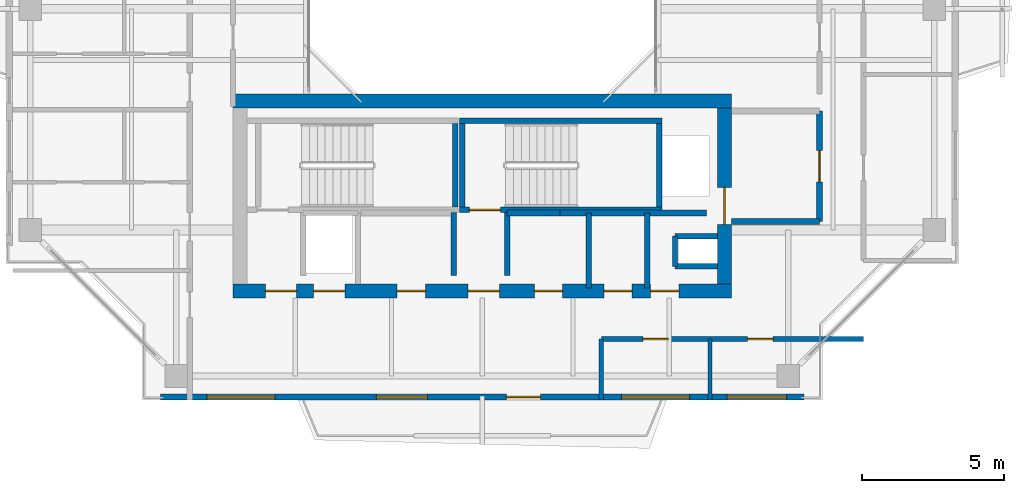
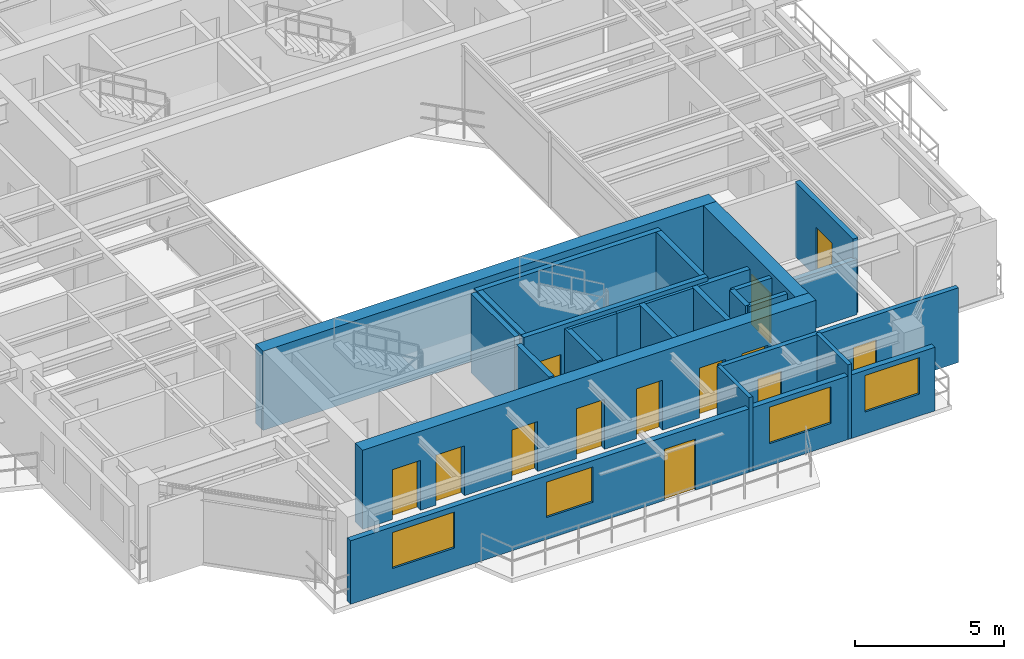
# One storey, part 10 of 16: 23 walls, 13 doors, 4 windows, 17 openings.
"""IFC4 building model written with IfcOpenShell, lengths in metres."""

from ifc_helpers import new_model, si_unit, direction, frame, frame_2d, origin, place, context, subcontext, project, spatial, rectangle, extrude, source, transform, mapped, material, layer, layer_set, type_object, element, fill, save


model = new_model("IFC4")

# Units and contexts
model_context = context("Model", 3, precision=1e-05, world=origin(), true_north=direction((0.0, 1.0)))
body_context = subcontext(model_context, "Body", "Model", "MODEL_VIEW")
ifc_project = project(units=[si_unit("LENGTHUNIT", "METRE"), si_unit("AREAUNIT", "SQUARE_METRE"), si_unit("VOLUMEUNIT", "CUBIC_METRE"), si_unit("PLANEANGLEUNIT", "RADIAN"), si_unit("MASSUNIT", "GRAM", prefix="KILO"), si_unit("THERMODYNAMICTEMPERATUREUNIT", "KELVIN"), si_unit("POWERUNIT", "WATT")], contexts=[model_context])

# Site, building, storey
site_placement = place(None, origin())
site = spatial("IfcSite", under=ifc_project, at=site_placement, CompositionType="ELEMENT")
building_placement = place(site_placement, origin())
building = spatial("IfcBuilding", under=site, at=building_placement, Name="Qiaomeng Ring Towers", CompositionType="ELEMENT")
storey_placement = place(building_placement, frame((0.0, 0.0, 210.0)))
storey = spatial("IfcBuildingStorey", under=building, at=storey_placement, Name="L61", CompositionType="ELEMENT", Elevation=210.0)

# Wall, openings, windows, door
ifc_material_1 = material(Name="Precast concrete C40", Category="concrete")
ifc_layer_1 = layer(ifc_material_1, 0.219970703125, Name="Precast concrete C40")
ifc_layer_set_1 = layer_set([ifc_layer_1], Name="Precast concrete C40")
wall_type_1 = type_object("IfcWallType", Name="ARC-WL-EW2", PredefinedType="STANDARD", material=ifc_layer_set_1)
wall_1_placement = place(storey_placement, frame((7.64990234375, 6.31005859375, 0.0), z_axis=(0.0, 0.0, 1.0), x_axis=(1.0, 0.0, 0.0)))
wall_1 = element("IfcWall", 1, at=wall_1_placement, inside=storey, type_object=wall_type_1, Name="L61 Tower 1 S Exterior Wall", PredefinedType="STANDARD", context=body_context, shape_type="SweptSolid", body=[
    extrude(rectangle(XDim=22.7001953125, YDim=0.219970703125, at=frame_2d((11.35009765625, 0.0))), origin(), (0.0, 0.0, 1.0), 2.610107421875),
])
opening_1_placement = place(wall_1_placement, frame((12.199951171875, 0.0, 0.0)))
opening_1 = element("IfcOpeningElement", 2, at=opening_1_placement, cuts=wall_1, Name="Opening BD1", PredefinedType="OPENING", context=body_context, shape_type="SweptSolid", body=[
    extrude(rectangle(XDim=1.199951171875, YDim=2.10009765625, at=frame_2d((0.60009765625, 1.050048828125))), frame((0.0, 0.119873046875, 0.0), z_axis=(0.0, -1.0, 0.0), x_axis=(1.0, 0.0, 0.0)), (0.0, 0.0, 1.0), 0.239990234375),
])
opening_2_placement = place(wall_1_placement, frame((1.636962890625, 0.0, 0.89990234375)))
opening_2 = element("IfcOpeningElement", 3, at=opening_2_placement, cuts=wall_1, Name="Opening WN6", PredefinedType="OPENING", context=body_context, shape_type="SweptSolid", body=[
    extrude(rectangle(XDim=2.39990234375, YDim=1.47998046875, at=frame_2d((1.199951171875, 0.739990234375))), frame((0.0, 0.119873046875, 0.0), z_axis=(0.0, -1.0, 0.0), x_axis=(1.0, 0.0, 0.0)), (0.0, 0.0, 1.0), 0.239990234375),
])
opening_3_placement = place(wall_1_placement, frame((7.612060546875, 0.0, 0.89990234375)))
opening_3 = element("IfcOpeningElement", 4, at=opening_3_placement, cuts=wall_1, Name="Opening WN1", PredefinedType="OPENING", context=body_context, shape_type="SweptSolid", body=[
    extrude(rectangle(XDim=1.800048828125, YDim=1.449951171875, at=frame_2d((0.89990234375, 0.72509765625))), frame((0.0, 0.119873046875, 0.0), z_axis=(0.0, -1.0, 0.0), x_axis=(1.0, 0.0, 0.0)), (0.0, 0.0, 1.0), 0.239990234375),
])
opening_4_placement = place(wall_1_placement, frame((19.987548828125, 0.0, 0.89990234375)))
opening_4 = element("IfcOpeningElement", 5, at=opening_4_placement, cuts=wall_1, Name="Opening WN4", PredefinedType="OPENING", context=body_context, shape_type="SweptSolid", body=[
    extrude(rectangle(XDim=2.10009765625, YDim=1.5, at=frame_2d((1.050048828125, 0.75))), frame((0.0, 0.119873046875, 0.0), z_axis=(0.0, -1.0, 0.0), x_axis=(1.0, 0.0, 0.0)), (0.0, 0.0, 1.0), 0.239990234375),
])
opening_5_placement = place(wall_1_placement, frame((16.27001953125, 0.0, 0.89990234375)))
opening_5 = element("IfcOpeningElement", 6, at=opening_5_placement, cuts=wall_1, Name="Opening WN6", PredefinedType="OPENING", context=body_context, shape_type="SweptSolid", body=[
    extrude(rectangle(XDim=2.39990234375, YDim=1.5, at=frame_2d((1.199951171875, 0.75))), frame((0.0, 0.119873046875, 0.0), z_axis=(0.0, -1.0, 0.0), x_axis=(1.0, 0.0, 0.0)), (0.0, 0.0, 1.0), 0.239990234375),
])
ifc_material_2 = material(Name="Low-E dark-grey laminated double glazing", Category="glass")
window_type_1 = type_object("IfcWindowType", Name="ARC-WN-4", PartitioningType="TRIPLE_PANEL_VERTICAL", PredefinedType="WINDOW", material=ifc_material_2)
shared_shape_1 = source(origin(), body_context, "Body", "SweptSolid", [
    extrude(rectangle(XDim=2.10009765625, YDim=1.5, at=frame_2d((1.050048828125, 0.75))), frame((0.0, 0.030029296875, 0.0), z_axis=(0.0, -1.0, 0.0), x_axis=(1.0, 0.0, 0.0)), (0.0, 0.0, 1.0), 0.06005859375),
])
window_1_placement = place(opening_4_placement, origin())
window_1 = element("IfcWindow", 7, at=window_1_placement, inside=storey, type_object=window_type_1, Name="L61 Exterior Window WN4", OverallHeight=1.5, OverallWidth=2.10009765625, PartitioningType="TRIPLE_PANEL_VERTICAL", PredefinedType="WINDOW", context=body_context, shape_type="MappedRepresentation", body=[
    mapped(shared_shape_1, transform((0.0, 0.0, 0.0), x_axis=(1.0, 0.0, 0.0), y_axis=(0.0, 1.0, 0.0), z_axis=(0.0, 0.0, 1.0), scale=1.0)),
])
fill(opening_4, window_1)
window_type_2 = type_object("IfcWindowType", Name="ARC-WN-1", PartitioningType="DOUBLE_PANEL_VERTICAL", PredefinedType="WINDOW", material=ifc_material_2)
shared_shape_2 = source(origin(), body_context, "Body", "SweptSolid", [
    extrude(rectangle(XDim=1.800048828125, YDim=1.449951171875, at=frame_2d((0.89990234375, 0.72509765625))), frame((0.0, 0.030029296875, 0.0), z_axis=(0.0, -1.0, 0.0), x_axis=(1.0, 0.0, 0.0)), (0.0, 0.0, 1.0), 0.06005859375),
])
window_2_placement = place(opening_3_placement, origin())
window_2 = element("IfcWindow", 8, at=window_2_placement, inside=storey, type_object=window_type_2, Name="L61 Exterior Window WN1", OverallHeight=1.449951171875, OverallWidth=1.800048828125, PartitioningType="DOUBLE_PANEL_VERTICAL", PredefinedType="WINDOW", context=body_context, shape_type="MappedRepresentation", body=[
    mapped(shared_shape_2, transform((0.0, 0.0, 0.0), x_axis=(1.0, 0.0, 0.0), y_axis=(0.0, 1.0, 0.0), z_axis=(0.0, 0.0, 1.0), scale=1.0)),
])
fill(opening_3, window_2)
window_type_3 = type_object("IfcWindowType", Name="ARC-WN-6", PartitioningType="TRIPLE_PANEL_VERTICAL", PredefinedType="WINDOW", material=ifc_material_2)
shared_shape_3 = source(origin(), body_context, "Body", "SweptSolid", [
    extrude(rectangle(XDim=2.39990234375, YDim=1.47998046875, at=frame_2d((1.199951171875, 0.739990234375))), frame((0.0, 0.030029296875, 0.0), z_axis=(0.0, -1.0, 0.0), x_axis=(1.0, 0.0, 0.0)), (0.0, 0.0, 1.0), 0.06005859375),
])
window_3_placement = place(opening_2_placement, origin())
window_3 = element("IfcWindow", 9, at=window_3_placement, inside=storey, type_object=window_type_3, Name="L61 Exterior Window WN6", OverallHeight=1.47998046875, OverallWidth=2.39990234375, PartitioningType="TRIPLE_PANEL_VERTICAL", PredefinedType="WINDOW", context=body_context, shape_type="MappedRepresentation", body=[
    mapped(shared_shape_3, transform((0.0, 0.0, 0.0), x_axis=(1.0, 0.0, 0.0), y_axis=(0.0, 1.0, 0.0), z_axis=(0.0, 0.0, 1.0), scale=1.0)),
])
fill(opening_2, window_3)
door_type_1 = type_object("IfcDoorType", Name="ARC-DR-BD1", OperationType="NOTDEFINED", PredefinedType="DOOR", material=ifc_material_2)
shared_shape_4 = source(origin(), body_context, "Body", "SweptSolid", [
    extrude(rectangle(XDim=1.199951171875, YDim=2.10009765625, at=frame_2d((0.60009765625, 1.050048828125))), frame((0.0, 0.02490234375, 0.0), z_axis=(0.0, -1.0, 0.0), x_axis=(1.0, 0.0, 0.0)), (0.0, 0.0, 1.0), 0.050048828125),
])
door_1_placement = place(opening_1_placement, frame((1.199951171875, 0.0, 0.0), z_axis=(0.0, 0.0, 1.0), x_axis=(-1.0, 0.0, 0.0)))
door_1 = element("IfcDoor", 10, at=door_1_placement, inside=storey, type_object=door_type_1, Name="L61 S Balcony Glazed Door", OperationType="SINGLE_SWING_LEFT", OverallHeight=2.10009765625, OverallWidth=1.199951171875, PredefinedType="DOOR", context=body_context, shape_type="MappedRepresentation", body=[
    mapped(shared_shape_4, transform((0.0, 0.0, 0.0), x_axis=(1.0, 0.0, 0.0), y_axis=(0.0, 1.0, 0.0), z_axis=(0.0, 0.0, 1.0), scale=1.0)),
])
fill(opening_1, door_1)
shared_shape_5 = source(origin(), body_context, "Body", "SweptSolid", [
    extrude(rectangle(XDim=2.39990234375, YDim=1.5, at=frame_2d((1.199951171875, 0.75))), frame((0.0, 0.030029296875, 0.0), z_axis=(0.0, -1.0, 0.0), x_axis=(1.0, 0.0, 0.0)), (0.0, 0.0, 1.0), 0.06005859375),
])
window_4_placement = place(opening_5_placement, origin())
window_4 = element("IfcWindow", 11, at=window_4_placement, inside=storey, type_object=window_type_3, Name="L61 Exterior Window WN6", OverallHeight=1.5, OverallWidth=2.39990234375, PartitioningType="TRIPLE_PANEL_VERTICAL", PredefinedType="WINDOW", context=body_context, shape_type="MappedRepresentation", body=[
    mapped(shared_shape_5, transform((0.0, 0.0, 0.0), x_axis=(1.0, 0.0, 0.0), y_axis=(0.0, 1.0, 0.0), z_axis=(0.0, 0.0, 1.0), scale=1.0)),
])
fill(opening_5, window_4)

# Wall
ifc_material_3 = material(Name="Autoclaved aerated concrete block", Category="concrete")
ifc_layer_2 = layer(ifc_material_3, 0.199951171875, Name="Autoclaved aerated concrete block")
ifc_layer_set_2 = layer_set([ifc_layer_2], Name="Autoclaved aerated concrete block")
wall_type_2 = type_object("IfcWallType", Name="ARC-WL-PW1", PredefinedType="PARTITIONING", material=ifc_layer_set_2)
wall_2_placement = place(storey_placement, frame((27.800048828125, 12.5, 0.0), z_axis=(0.0, 0.0, 1.0), x_axis=(1.0, 0.0, 0.0)))
element("IfcWall", 12, at=wall_2_placement, inside=storey, type_object=wall_type_2, Name="L61 Interior Wall PW1", PredefinedType="PARTITIONING", context=body_context, shape_type="SweptSolid", body=[
    extrude(rectangle(XDim=3.099853515625, YDim=0.199951171875, at=frame_2d((1.5498046875, 0.0))), origin(), (0.0, 0.0, 1.0), 2.264892578125),
])

# Wall, opening, door
wall_3_placement = place(storey_placement, frame((30.89990234375, 12.5, 0.0), z_axis=(0.0, 0.0, 1.0), x_axis=(0.0, 1.0, 0.0)))
wall_3 = element("IfcWall", 13, at=wall_3_placement, inside=storey, type_object=wall_type_2, Name="L61 Interior Wall PW1", PredefinedType="PARTITIONING", context=body_context, shape_type="SweptSolid", body=[
    extrude(rectangle(XDim=3.89990234375, YDim=0.199951171875, at=frame_2d((1.949951171875, 0.0))), origin(), (0.0, 0.0, 1.0), 3.070068359375),
])
opening_6_placement = place(wall_3_placement, frame((1.39990234375, 0.0, 0.0)))
opening_6 = element("IfcOpeningElement", 14, at=opening_6_placement, cuts=wall_3, Name="Opening FD3", PredefinedType="OPENING", context=body_context, shape_type="SweptSolid", body=[
    extrude(rectangle(XDim=1.10009765625, YDim=2.050048828125, at=frame_2d((0.550048828125, 1.02490234375))), frame((0.0, 0.10986328125, 0.0), z_axis=(0.0, -1.0, 0.0), x_axis=(1.0, 0.0, 0.0)), (0.0, 0.0, 1.0), 0.219970703125),
])
ifc_material_4 = material(Name="Galvanised steel", Category="steel")
door_type_2 = type_object("IfcDoorType", Name="ARC-DR-FD3", OperationType="NOTDEFINED", PredefinedType="DOOR", material=ifc_material_4)
shared_shape_6 = source(origin(), body_context, "Body", "SweptSolid", [
    extrude(rectangle(XDim=1.10009765625, YDim=2.050048828125, at=frame_2d((0.550048828125, 1.02490234375))), frame((0.0, 0.02490234375, 0.0), z_axis=(0.0, -1.0, 0.0), x_axis=(1.0, 0.0, 0.0)), (0.0, 0.0, 1.0), 0.050048828125),
])
door_2_placement = place(opening_6_placement, origin())
door_2 = element("IfcDoor", 15, at=door_2_placement, inside=storey, type_object=door_type_2, Name="L61 South FF Lobby Door", OperationType="SINGLE_SWING_LEFT", OverallHeight=2.050048828125, OverallWidth=1.10009765625, PredefinedType="DOOR", context=body_context, shape_type="MappedRepresentation", body=[
    mapped(shared_shape_6, transform((0.0, 0.0, 0.0), x_axis=(1.0, 0.0, 0.0), y_axis=(0.0, 1.0, 0.0), z_axis=(0.0, 0.0, 1.0), scale=1.0)),
])
fill(opening_6, door_2)

# Walls
for number, where, z_axis, x_axis, name in (
    (16, (18.0, 10.60009765625, 0.0), (0.0, 0.0, 1.0), (0.0, 1.0, 0.0), "L61 Interior Wall PW1"),
    (17, (19.8798828125, 10.60009765625, 0.0), (0.0, 0.0, 1.0), (0.0, 1.0, 0.0), "L61 Interior Wall PW1"),
):
    element("IfcWall", number, at=place(storey_placement, frame(where, z_axis=z_axis, x_axis=x_axis)), inside=storey, type_object=wall_type_2, Name=name, PredefinedType="PARTITIONING", context=body_context, shape_type="SweptSolid", body=[
        extrude(rectangle(XDim=2.2099609375, YDim=0.199951171875, at=frame_2d((1.10498046875, 0.0))), origin(), (0.0, 0.0, 1.0), 3.070068359375),
    ])
wall_4_placement = place(storey_placement, frame((24.820068359375, 10.14990234375, 0.0), z_axis=(0.0, 0.0, 1.0), x_axis=(0.0, 1.0, 0.0)))
element("IfcWall", 18, at=wall_4_placement, inside=storey, type_object=wall_type_2, Name="L61 Interior Wall PW1", PredefinedType="PARTITIONING", context=body_context, shape_type="SweptSolid", body=[
    extrude(rectangle(XDim=2.650146484375, YDim=0.199951171875, at=frame_2d((1.3251953125, 0.0))), origin(), (0.0, 0.0, 1.0), 3.070068359375),
])
wall_5_placement = place(storey_placement, frame((19.8798828125, 12.800048828125, 0.0), z_axis=(0.0, 0.0, 1.0), x_axis=(1.0, 0.0, 0.0)))
element("IfcWall", 19, at=wall_5_placement, inside=storey, type_object=wall_type_2, Name="L61 Interior Wall PW1", PredefinedType="PARTITIONING", context=body_context, shape_type="SweptSolid", body=[
    extrude(rectangle(XDim=1.8701171875, YDim=0.199951171875, at=frame_2d((0.93505859375, 0.0))), origin(), (0.0, 0.0, 1.0), 3.070068359375),
])
wall_6_placement = place(storey_placement, frame((22.760009765625, 10.14990234375, 0.0), z_axis=(0.0, 0.0, 1.0), x_axis=(0.0, 1.0, 0.0)))
element("IfcWall", 20, at=wall_6_placement, inside=storey, type_object=wall_type_2, Name="L61 Interior Wall PW1", PredefinedType="PARTITIONING", context=body_context, shape_type="SweptSolid", body=[
    extrude(rectangle(XDim=2.650146484375, YDim=0.199951171875, at=frame_2d((1.3251953125, 0.0))), origin(), (0.0, 0.0, 1.0), 3.070068359375),
])
wall_7_placement = place(storey_placement, frame((21.75, 12.800048828125, 0.0), z_axis=(0.0, 0.0, 1.0), x_axis=(1.0, 0.0, 0.0)))
element("IfcWall", 21, at=wall_7_placement, inside=storey, type_object=wall_type_2, Name="L61 Interior Wall PW1", PredefinedType="PARTITIONING", context=body_context, shape_type="SweptSolid", body=[
    extrude(rectangle(XDim=5.169921875, YDim=0.199951171875, at=frame_2d((2.5849609375, 0.0))), origin(), (0.0, 0.0, 1.0), 3.070068359375),
])

# Wall, openings, doors
ifc_layer_3 = layer(ifc_material_3, 0.179931640625, Name="Autoclaved aerated concrete block")
ifc_layer_set_3 = layer_set([ifc_layer_3], Name="Autoclaved aerated concrete block")
wall_type_3 = type_object("IfcWallType", Name="ARC-WL-PW2", PredefinedType="PARTITIONING", material=ifc_layer_set_3)
wall_8_placement = place(storey_placement, frame((23.199951171875, 8.35009765625, 0.0), z_axis=(0.0, 0.0, 1.0), x_axis=(1.0, 0.0, 0.0)))
wall_8 = element("IfcWall", 22, at=wall_8_placement, inside=storey, type_object=wall_type_3, Name="L61 Interior Wall PW2", PredefinedType="PARTITIONING", context=body_context, shape_type="SweptSolid", body=[
    extrude(rectangle(XDim=9.25, YDim=0.179931640625, at=frame_2d((4.625, 0.0))), origin(), (0.0, 0.0, 1.0), 3.070068359375),
])
opening_7_placement = place(wall_8_placement, frame((1.469970703125, 0.0, 0.0)))
opening_7 = element("IfcOpeningElement", 23, at=opening_7_placement, cuts=wall_8, Name="Opening ID1", PredefinedType="OPENING", context=body_context, shape_type="SweptSolid", body=[
    extrude(rectangle(XDim=0.89990234375, YDim=2.050048828125, at=frame_2d((0.449951171875, 1.02490234375))), frame((0.0, 0.099853515625, 0.0), z_axis=(0.0, -1.0, 0.0), x_axis=(1.0, 0.0, 0.0)), (0.0, 0.0, 1.0), 0.199951171875),
])
opening_8_placement = place(wall_8_placement, frame((5.1640625, 0.0, 0.0)))
opening_8 = element("IfcOpeningElement", 24, at=opening_8_placement, cuts=wall_8, Name="Opening ID1", PredefinedType="OPENING", context=body_context, shape_type="SweptSolid", body=[
    extrude(rectangle(XDim=0.89990234375, YDim=2.050048828125, at=frame_2d((0.449951171875, 1.02490234375))), frame((0.0, 0.099853515625, 0.0), z_axis=(0.0, -1.0, 0.0), x_axis=(1.0, 0.0, 0.0)), (0.0, 0.0, 1.0), 0.199951171875),
])
ifc_material_5 = material(Name="Engineered oak timber", Category="wood")
door_type_3 = type_object("IfcDoorType", Name="ARC-DR-ID1", OperationType="NOTDEFINED", PredefinedType="DOOR", material=ifc_material_5)
shared_shape_7 = source(origin(), body_context, "Body", "SweptSolid", [
    extrude(rectangle(XDim=0.89990234375, YDim=2.050048828125, at=frame_2d((0.449951171875, 1.02490234375))), frame((0.0, 0.02490234375, 0.0), z_axis=(0.0, -1.0, 0.0), x_axis=(1.0, 0.0, 0.0)), (0.0, 0.0, 1.0), 0.050048828125),
])
door_3_placement = place(opening_7_placement, origin())
door_3 = element("IfcDoor", 25, at=door_3_placement, inside=storey, type_object=door_type_3, Name="L61 Door ID1", OperationType="SINGLE_SWING_LEFT", OverallHeight=2.050048828125, OverallWidth=0.89990234375, PredefinedType="DOOR", context=body_context, shape_type="MappedRepresentation", body=[
    mapped(shared_shape_7, transform((0.0, 0.0, 0.0), x_axis=(1.0, 0.0, 0.0), y_axis=(0.0, 1.0, 0.0), z_axis=(0.0, 0.0, 1.0), scale=1.0)),
])
fill(opening_7, door_3)
door_4_placement = place(opening_8_placement, origin())
door_4 = element("IfcDoor", 26, at=door_4_placement, inside=storey, type_object=door_type_3, Name="L61 Door ID1", OperationType="SINGLE_SWING_RIGHT", OverallHeight=2.050048828125, OverallWidth=0.89990234375, PredefinedType="DOOR", context=body_context, shape_type="MappedRepresentation", body=[
    mapped(shared_shape_7, transform((0.0, 0.0, 0.0), x_axis=(1.0, 0.0, 0.0), y_axis=(0.0, 1.0, 0.0), z_axis=(0.0, 0.0, 1.0), scale=1.0)),
])
fill(opening_8, door_4)

# Walls
ifc_material_6 = material(Name="Gypsum fireboard steel-stud partition", Category="steel")
ifc_layer_4 = layer(ifc_material_6, 0.14990234375, Name="Gypsum fireboard steel-stud partition")
ifc_layer_set_4 = layer_set([ifc_layer_4], Name="Gypsum fireboard steel-stud partition")
wall_type_4 = type_object("IfcWallType", Name="ARC-WL-PW3", PredefinedType="PARTITIONING", material=ifc_layer_set_4)
for number, where, z_axis, x_axis, name in (
    (27, (23.199951171875, 6.199951171875, 0.0), (0.0, 0.0, 1.0), (0.0, 1.0, 0.0), "L61 Interior Wall PW3"),
    (28, (27.0400390625, 6.199951171875, 0.0), (0.0, 0.0, 1.0), (0.0, 1.0, 0.0), "L61 Interior Wall PW3"),
):
    element("IfcWall", number, at=place(storey_placement, frame(where, z_axis=z_axis, x_axis=x_axis)), inside=storey, type_object=wall_type_4, Name=name, PredefinedType="PARTITIONING", context=body_context, shape_type="SweptSolid", body=[
        extrude(rectangle(XDim=2.150146484375, YDim=0.14990234375, at=frame_2d((1.0751953125, 0.0))), origin(), (0.0, 0.0, 1.0), 3.070068359375),
    ])
ifc_material_7 = material(Name="Concrete C40", Category="concrete")
ifc_layer_5 = layer(ifc_material_7, 0.199951171875, Name="Concrete C40")
ifc_layer_set_5 = layer_set([ifc_layer_5], Name="Concrete C40")
wall_type_5 = type_object("IfcWallType", Name="STR-WL-STSHAFT", PredefinedType="SHEAR", material=ifc_layer_set_5)
wall_9_placement = place(storey_placement, frame((25.800048828125, 10.919921875, 0.0), z_axis=(0.0, 0.0, 1.0), x_axis=(0.0, 1.0, 0.0)))
element("IfcWall", 29, at=wall_9_placement, inside=storey, type_object=wall_type_5, Name="L61 Riser RSR1 West Shaft Wall S", PredefinedType="SHEAR", context=body_context, shape_type="SweptSolid", body=[
    extrude(rectangle(XDim=1.06005859375, YDim=0.179931640625, at=frame_2d((0.530029296875, 0.0))), origin(), (0.0, 0.0, 1.0), 3.070068359375),
])
for number, where, z_axis, x_axis, name in (
    (30, (25.800048828125, 11.97998046875, 0.0), (0.0, 0.0, 1.0), (1.0, 0.0, 0.0), "L61 Riser RSR1 North Shaft Wall S"),
    (31, (25.800048828125, 10.919921875, 0.0), (0.0, 0.0, 1.0), (1.0, 0.0, 0.0), "L61 Riser RSR1 South Shaft Wall S"),
):
    element("IfcWall", number, at=place(storey_placement, frame(where, z_axis=z_axis, x_axis=x_axis)), inside=storey, type_object=wall_type_5, Name=name, PredefinedType="SHEAR", context=body_context, shape_type="SweptSolid", body=[
        extrude(rectangle(XDim=1.5, YDim=0.179931640625, at=frame_2d((0.75, 0.0))), origin(), (0.0, 0.0, 1.0), 3.070068359375),
    ])
wall_10_placement = place(storey_placement, frame((18.050048828125, 13.010009765625, 0.0), z_axis=(0.0, 0.0, 1.0), x_axis=(0.0, 1.0, 0.0)))
element("IfcWall", 32, at=wall_10_placement, inside=storey, type_object=wall_type_5, Name="L61 Stair ST3 East Shaft Shear Wall", PredefinedType="SHEAR", context=body_context, shape_type="SweptSolid", body=[
    extrude(rectangle(XDim=2.93994140625, YDim=0.199951171875, at=frame_2d((1.469970703125, 0.0))), origin(), (0.0, 0.0, 1.0), 3.25),
])

# Wall, opening, door
wall_11_placement = place(storey_placement, frame((18.199951171875, 12.909912109375, 0.0), z_axis=(0.0, 0.0, 1.0), x_axis=(1.0, 0.0, 0.0)))
wall_11 = element("IfcWall", 33, at=wall_11_placement, inside=storey, type_object=wall_type_5, Name="L61 Stair ST4 South Shaft Shear Wall", PredefinedType="SHEAR", context=body_context, shape_type="SweptSolid", body=[
    extrude(rectangle(XDim=7.150146484375, YDim=0.199951171875, at=frame_2d((3.5751953125, 0.0))), origin(), (0.0, 0.0, 1.0), 3.25),
])
opening_9_placement = place(wall_11_placement, frame((0.35009765625, 0.0, 0.0)))
opening_9 = element("IfcOpeningElement", 34, at=opening_9_placement, cuts=wall_11, Name="Opening FD3", PredefinedType="OPENING", context=body_context, shape_type="SweptSolid", body=[
    extrude(rectangle(XDim=1.10009765625, YDim=2.050048828125, at=frame_2d((0.550048828125, 1.02490234375))), frame((0.0, 0.10986328125, 0.0), z_axis=(0.0, -1.0, 0.0), x_axis=(1.0, 0.0, 0.0)), (0.0, 0.0, 1.0), 0.219970703125),
])
door_5_placement = place(opening_9_placement, frame((1.10009765625, 0.0, 0.0), z_axis=(0.0, 0.0, 1.0), x_axis=(-1.0, 0.0, 0.0)))
door_5 = element("IfcDoor", 35, at=door_5_placement, inside=storey, type_object=door_type_2, Name="L61 Stair ST4 Exit Door", OperationType="SINGLE_SWING_LEFT", OverallHeight=2.050048828125, OverallWidth=1.10009765625, PredefinedType="DOOR", context=body_context, shape_type="MappedRepresentation", body=[
    mapped(shared_shape_6, transform((0.0, 0.0, 0.0), x_axis=(1.0, 0.0, 0.0), y_axis=(0.0, 1.0, 0.0), z_axis=(0.0, 0.0, 1.0), scale=1.0)),
])
fill(opening_9, door_5)

# Walls
wall_12_placement = place(storey_placement, frame((18.199951171875, 16.050048828125, 0.0), z_axis=(0.0, 0.0, 1.0), x_axis=(1.0, 0.0, 0.0)))
element("IfcWall", 36, at=wall_12_placement, inside=storey, type_object=wall_type_5, Name="L61 Stair ST4 North Shaft Shear Wall", PredefinedType="SHEAR", context=body_context, shape_type="SweptSolid", body=[
    extrude(rectangle(XDim=7.150146484375, YDim=0.199951171875, at=frame_2d((3.5751953125, 0.0))), origin(), (0.0, 0.0, 1.0), 3.25),
])
for number, where, z_axis, x_axis, name in (
    (37, (18.300048828125, 13.010009765625, 0.0), (0.0, 0.0, 1.0), (0.0, 1.0, 0.0), "L61 Stair ST4 West Shaft Shear Wall"),
    (38, (25.25, 13.010009765625, 0.0), (0.0, 0.0, 1.0), (0.0, 1.0, 0.0), "L61 Stair ST4 East Shaft Shear Wall"),
):
    element("IfcWall", number, at=place(storey_placement, frame(where, z_axis=z_axis, x_axis=x_axis)), inside=storey, type_object=wall_type_5, Name=name, PredefinedType="SHEAR", context=body_context, shape_type="SweptSolid", body=[
        extrude(rectangle(XDim=2.93994140625, YDim=0.199951171875, at=frame_2d((1.469970703125, 0.0))), origin(), (0.0, 0.0, 1.0), 3.25),
    ])

# Wall, openings, doors
ifc_layer_6 = layer(ifc_material_7, 0.5, Name="Concrete C40")
ifc_layer_set_6 = layer_set([ifc_layer_6], Name="Concrete C40")
wall_type_6 = type_object("IfcWallType", Name="STR-WL-SW3", PredefinedType="SHEAR", material=ifc_layer_set_6)
wall_13_placement = place(storey_placement, frame((10.199951171875, 10.050048828125, 0.0), z_axis=(0.0, 0.0, 1.0), x_axis=(1.0, 0.0, 0.0)))
wall_13 = element("IfcWall", 39, at=wall_13_placement, inside=storey, type_object=wall_type_6, Name="L61 T1SC south core shear wall", PredefinedType="SHEAR", context=body_context, shape_type="SweptSolid", body=[
    extrude(rectangle(XDim=17.60009765625, YDim=0.5, at=frame_2d((8.800048828125, 0.0))), origin(), (0.0, 0.0, 1.0), 3.25),
])
opening_10_placement = place(wall_13_placement, frame((1.14990234375, 0.0, 0.0)))
opening_10 = element("IfcOpeningElement", 40, at=opening_10_placement, cuts=wall_13, Name="Opening FD3", PredefinedType="OPENING", context=body_context, shape_type="SweptSolid", body=[
    extrude(rectangle(XDim=1.10009765625, YDim=2.050048828125, at=frame_2d((0.550048828125, 1.02490234375))), frame((0.0, 0.260009765625, 0.0), z_axis=(0.0, -1.0, 0.0), x_axis=(1.0, 0.0, 0.0)), (0.0, 0.0, 1.0), 0.52001953125),
])
opening_11_placement = place(wall_13_placement, frame((8.300048828125, 0.0, 0.0)))
opening_11 = element("IfcOpeningElement", 41, at=opening_11_placement, cuts=wall_13, Name="Opening FD3", PredefinedType="OPENING", context=body_context, shape_type="SweptSolid", body=[
    extrude(rectangle(XDim=1.10009765625, YDim=2.050048828125, at=frame_2d((0.550048828125, 1.02490234375))), frame((0.0, 0.260009765625, 0.0), z_axis=(0.0, -1.0, 0.0), x_axis=(1.0, 0.0, 0.0)), (0.0, 0.0, 1.0), 0.52001953125),
])
opening_12_placement = place(wall_13_placement, frame((2.85009765625, 0.0, 0.0)))
opening_12 = element("IfcOpeningElement", 42, at=opening_12_placement, cuts=wall_13, Name="Opening LD1", PredefinedType="OPENING", context=body_context, shape_type="SweptSolid", body=[
    extrude(rectangle(XDim=1.10009765625, YDim=2.050048828125, at=frame_2d((0.550048828125, 1.02490234375))), frame((0.0, 0.260009765625, 0.0), z_axis=(0.0, -1.0, 0.0), x_axis=(1.0, 0.0, 0.0)), (0.0, 0.0, 1.0), 0.52001953125),
])
opening_13_placement = place(wall_13_placement, frame((5.800048828125, 0.0, 0.0)))
opening_13 = element("IfcOpeningElement", 43, at=opening_13_placement, cuts=wall_13, Name="Opening FD1", PredefinedType="OPENING", context=body_context, shape_type="SweptSolid", body=[
    extrude(rectangle(XDim=1.0, YDim=2.050048828125, at=frame_2d((0.5, 1.02490234375))), frame((0.0, 0.260009765625, 0.0), z_axis=(0.0, -1.0, 0.0), x_axis=(1.0, 0.0, 0.0)), (0.0, 0.0, 1.0), 0.52001953125),
])
opening_14_placement = place(wall_13_placement, frame((14.739990234375, 0.0, 0.0)))
opening_14 = element("IfcOpeningElement", 44, at=opening_14_placement, cuts=wall_13, Name="Opening FD1", PredefinedType="OPENING", context=body_context, shape_type="SweptSolid", body=[
    extrude(rectangle(XDim=1.0, YDim=2.050048828125, at=frame_2d((0.5, 1.02490234375))), frame((0.0, 0.260009765625, 0.0), z_axis=(0.0, -1.0, 0.0), x_axis=(1.0, 0.0, 0.0)), (0.0, 0.0, 1.0), 0.52001953125),
])
opening_15_placement = place(wall_13_placement, frame((10.639892578125, 0.0, 0.0)))
opening_15 = element("IfcOpeningElement", 45, at=opening_15_placement, cuts=wall_13, Name="Opening FD1", PredefinedType="OPENING", context=body_context, shape_type="SweptSolid", body=[
    extrude(rectangle(XDim=1.0, YDim=2.050048828125, at=frame_2d((0.5, 1.02490234375))), frame((0.0, 0.260009765625, 0.0), z_axis=(0.0, -1.0, 0.0), x_axis=(1.0, 0.0, 0.0)), (0.0, 0.0, 1.0), 0.52001953125),
])
opening_16_placement = place(wall_13_placement, frame((13.090087890625, 0.0, 0.0)))
opening_16 = element("IfcOpeningElement", 46, at=opening_16_placement, cuts=wall_13, Name="Opening FD1", PredefinedType="OPENING", context=body_context, shape_type="SweptSolid", body=[
    extrude(rectangle(XDim=1.0, YDim=2.050048828125, at=frame_2d((0.5, 1.02490234375))), frame((0.0, 0.260009765625, 0.0), z_axis=(0.0, -1.0, 0.0), x_axis=(1.0, 0.0, 0.0)), (0.0, 0.0, 1.0), 0.52001953125),
])
door_6_placement = place(opening_10_placement, origin())
door_6 = element("IfcDoor", 47, at=door_6_placement, inside=storey, type_object=door_type_2, Name="L61 Stair ST3 Lobby Door", OperationType="SINGLE_SWING_RIGHT", OverallHeight=2.050048828125, OverallWidth=1.10009765625, PredefinedType="DOOR", context=body_context, shape_type="MappedRepresentation", body=[
    mapped(shared_shape_6, transform((0.0, 0.0, 0.0), x_axis=(1.0, 0.0, 0.0), y_axis=(0.0, 1.0, 0.0), z_axis=(0.0, 0.0, 1.0), scale=1.0)),
])
fill(opening_10, door_6)
door_7_placement = place(opening_11_placement, origin())
door_7 = element("IfcDoor", 48, at=door_7_placement, inside=storey, type_object=door_type_2, Name="L61 Stair ST4 Lobby Door", OperationType="SINGLE_SWING_RIGHT", OverallHeight=2.050048828125, OverallWidth=1.10009765625, PredefinedType="DOOR", context=body_context, shape_type="MappedRepresentation", body=[
    mapped(shared_shape_6, transform((0.0, 0.0, 0.0), x_axis=(1.0, 0.0, 0.0), y_axis=(0.0, 1.0, 0.0), z_axis=(0.0, 0.0, 1.0), scale=1.0)),
])
fill(opening_11, door_7)
ifc_material_8 = material(Name="Stainless steel 316", Category="steel")
door_type_4 = type_object("IfcDoorType", Name="ARC-DR-LD1", OperationType="NOTDEFINED", PredefinedType="DOOR", material=ifc_material_8)
door_8_placement = place(opening_12_placement, origin())
door_8 = element("IfcDoor", 49, at=door_8_placement, inside=storey, type_object=door_type_4, Name="L61 High-Zone Lift LP6 Landing Door", OperationType="SLIDING_TO_RIGHT", OverallHeight=2.050048828125, OverallWidth=1.10009765625, PredefinedType="DOOR", context=body_context, shape_type="MappedRepresentation", body=[
    mapped(shared_shape_6, transform((0.0, 0.0, 0.0), x_axis=(1.0, 0.0, 0.0), y_axis=(0.0, 1.0, 0.0), z_axis=(0.0, 0.0, 1.0), scale=1.0)),
])
fill(opening_12, door_8)
door_type_5 = type_object("IfcDoorType", Name="ARC-DR-FD1", OperationType="NOTDEFINED", PredefinedType="DOOR", material=ifc_material_4)
shared_shape_8 = source(origin(), body_context, "Body", "SweptSolid", [
    extrude(rectangle(XDim=1.0, YDim=2.050048828125, at=frame_2d((0.5, 1.02490234375))), frame((0.0, 0.02490234375, 0.0), z_axis=(0.0, -1.0, 0.0), x_axis=(1.0, 0.0, 0.0)), (0.0, 0.0, 1.0), 0.050048828125),
])
door_9_placement = place(opening_13_placement, origin())
door_9 = element("IfcDoor", 50, at=door_9_placement, inside=storey, type_object=door_type_5, Name="L61 High-Zone Freed Core Room Door", OperationType="SINGLE_SWING_RIGHT", OverallHeight=2.050048828125, OverallWidth=1.0, PredefinedType="DOOR", context=body_context, shape_type="MappedRepresentation", body=[
    mapped(shared_shape_8, transform((0.0, 0.0, 0.0), x_axis=(1.0, 0.0, 0.0), y_axis=(0.0, 1.0, 0.0), z_axis=(0.0, 0.0, 1.0), scale=1.0)),
])
fill(opening_13, door_9)
door_10_placement = place(opening_14_placement, origin())
door_10 = element("IfcDoor", 51, at=door_10_placement, inside=storey, type_object=door_type_5, Name="L61 South Electrical Riser Door", OperationType="SINGLE_SWING_RIGHT", OverallHeight=2.050048828125, OverallWidth=1.0, PredefinedType="DOOR", context=body_context, shape_type="MappedRepresentation", body=[
    mapped(shared_shape_8, transform((0.0, 0.0, 0.0), x_axis=(1.0, 0.0, 0.0), y_axis=(0.0, 1.0, 0.0), z_axis=(0.0, 0.0, 1.0), scale=1.0)),
])
fill(opening_14, door_10)
door_11_placement = place(opening_15_placement, origin())
door_11 = element("IfcDoor", 52, at=door_11_placement, inside=storey, type_object=door_type_5, Name="L61 South Telemetry Study Door", OperationType="SINGLE_SWING_LEFT", OverallHeight=2.050048828125, OverallWidth=1.0, PredefinedType="DOOR", context=body_context, shape_type="MappedRepresentation", body=[
    mapped(shared_shape_8, transform((0.0, 0.0, 0.0), x_axis=(1.0, 0.0, 0.0), y_axis=(0.0, 1.0, 0.0), z_axis=(0.0, 0.0, 1.0), scale=1.0)),
])
fill(opening_15, door_11)
door_12_placement = place(opening_16_placement, origin())
door_12 = element("IfcDoor", 53, at=door_12_placement, inside=storey, type_object=door_type_5, Name="L61 South Staff Pantry Door", OperationType="SINGLE_SWING_RIGHT", OverallHeight=2.050048828125, OverallWidth=1.0, PredefinedType="DOOR", context=body_context, shape_type="MappedRepresentation", body=[
    mapped(shared_shape_8, transform((0.0, 0.0, 0.0), x_axis=(1.0, 0.0, 0.0), y_axis=(0.0, 1.0, 0.0), z_axis=(0.0, 0.0, 1.0), scale=1.0)),
])
fill(opening_16, door_12)

# Wall
wall_14_placement = place(storey_placement, frame((10.199951171875, 16.75, 0.0), z_axis=(0.0, 0.0, 1.0), x_axis=(1.0, 0.0, 0.0)))
element("IfcWall", 54, at=wall_14_placement, inside=storey, type_object=wall_type_6, Name="L61 T1SC north core shear wall", PredefinedType="SHEAR", context=body_context, shape_type="SweptSolid", body=[
    extrude(rectangle(XDim=17.60009765625, YDim=0.5, at=frame_2d((8.800048828125, 0.0))), origin(), (0.0, 0.0, 1.0), 3.25),
])

# Wall, opening, door
wall_15_placement = place(storey_placement, frame((27.550048828125, 10.300048828125, 0.0), z_axis=(0.0, 0.0, 1.0), x_axis=(0.0, 1.0, 0.0)))
wall_15 = element("IfcWall", 55, at=wall_15_placement, inside=storey, type_object=wall_type_6, Name="L61 T1SC east core shear wall", PredefinedType="SHEAR", context=body_context, shape_type="SweptSolid", body=[
    extrude(rectangle(XDim=6.199951171875, YDim=0.5, at=frame_2d((3.10009765625, 0.0))), origin(), (0.0, 0.0, 1.0), 3.25),
])
opening_17_placement = place(wall_15_placement, frame((2.10009765625, 0.0, 0.0)))
opening_17 = element("IfcOpeningElement", 56, at=opening_17_placement, cuts=wall_15, Name="Opening LD2", PredefinedType="OPENING", context=body_context, shape_type="SweptSolid", body=[
    extrude(rectangle(XDim=1.300048828125, YDim=2.050048828125, at=frame_2d((0.64990234375, 1.02490234375))), frame((0.0, 0.260009765625, 0.0), z_axis=(0.0, -1.0, 0.0), x_axis=(1.0, 0.0, 0.0)), (0.0, 0.0, 1.0), 0.52001953125),
])
door_type_6 = type_object("IfcDoorType", Name="ARC-DR-LD2", OperationType="NOTDEFINED", PredefinedType="DOOR", material=ifc_material_8)
shared_shape_9 = source(origin(), body_context, "Body", "SweptSolid", [
    extrude(rectangle(XDim=1.300048828125, YDim=2.050048828125, at=frame_2d((0.64990234375, 1.02490234375))), frame((0.0, 0.02490234375, 0.0), z_axis=(0.0, -1.0, 0.0), x_axis=(1.0, 0.0, 0.0)), (0.0, 0.0, 1.0), 0.050048828125),
])
door_13_placement = place(opening_17_placement, origin())
door_13 = element("IfcDoor", 57, at=door_13_placement, inside=storey, type_object=door_type_6, Name="L61 Firefighting Lift FL2 Landing Door", OperationType="SLIDING_TO_RIGHT", OverallHeight=2.050048828125, OverallWidth=1.300048828125, PredefinedType="DOOR", context=body_context, shape_type="MappedRepresentation", body=[
    mapped(shared_shape_9, transform((0.0, 0.0, 0.0), x_axis=(1.0, 0.0, 0.0), y_axis=(0.0, 1.0, 0.0), z_axis=(0.0, 0.0, 1.0), scale=1.0)),
])
fill(opening_17, door_13)

save(model, "model.ifc")
